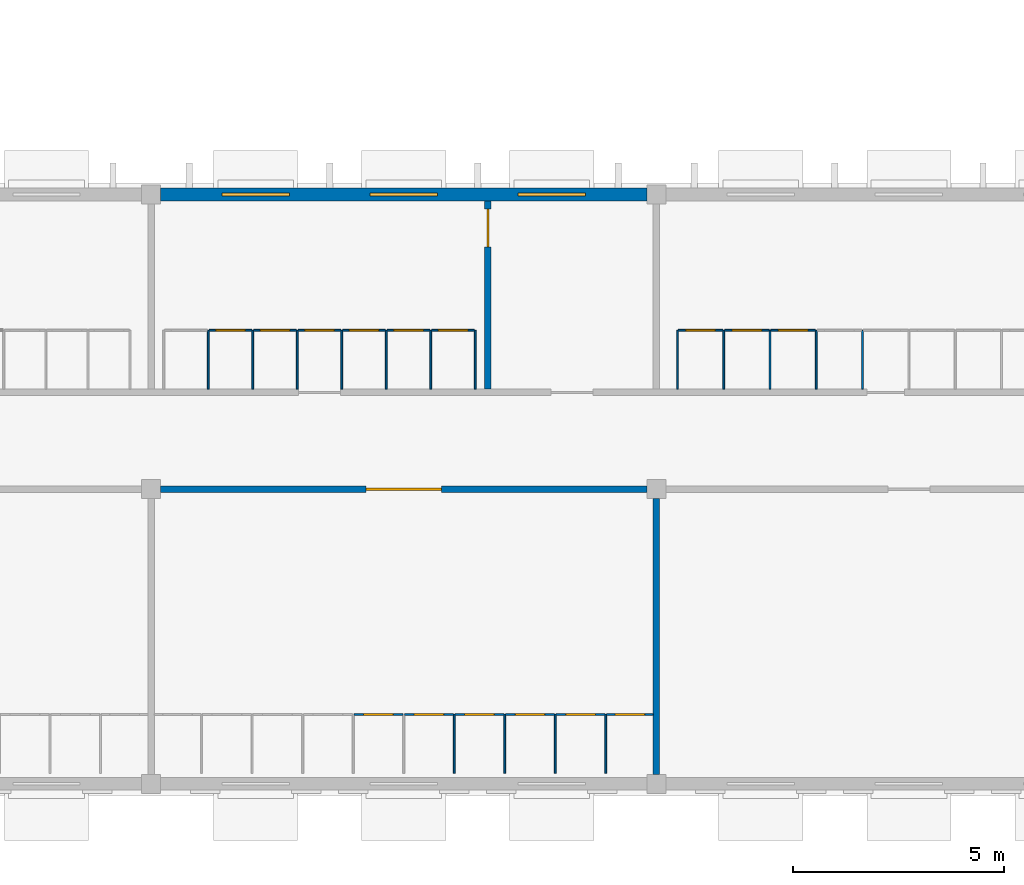
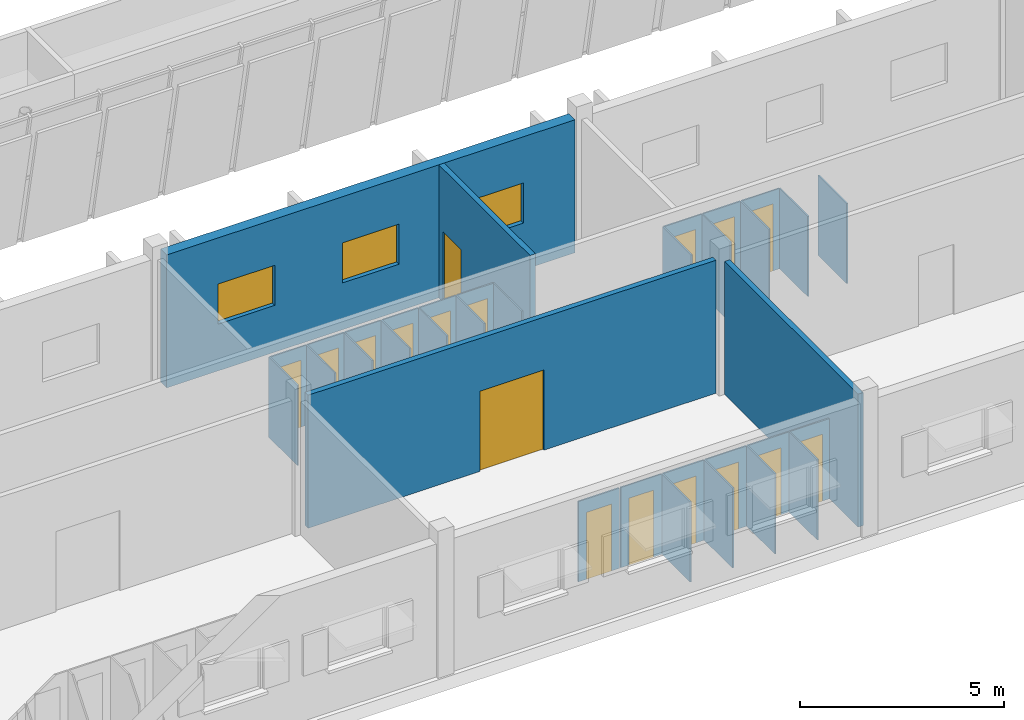
# One storey, part 65 of 115: 35 walls, 17 doors, 3 windows, 20 openings.
"""IFC4 building model written with IfcOpenShell, lengths in metres."""

from ifc_helpers import new_model, si_unit, direction, frame, frame_2d, origin, place, context, subcontext, project, spatial, rectangle, extrude, material, layer, layer_set, type_object, element, fill, save


model = new_model("IFC4")

# Units and contexts
model_context = context("Model", 3, precision=1e-05, world=origin(), true_north=direction((0.0, 1.0)))
body_context = subcontext(model_context, "Body", "Model", "MODEL_VIEW")
ifc_project = project(units=[si_unit("LENGTHUNIT", "METRE"), si_unit("AREAUNIT", "SQUARE_METRE"), si_unit("VOLUMEUNIT", "CUBIC_METRE"), si_unit("PLANEANGLEUNIT", "RADIAN"), si_unit("MASSUNIT", "GRAM", prefix="KILO")], contexts=[model_context])

# Site, building, storey
site_placement = place(None, origin())
site = spatial("IfcSite", under=ifc_project, at=site_placement, CompositionType="ELEMENT")
building_placement = place(site_placement, origin())
building = spatial("IfcBuilding", under=site, at=building_placement, Name="Windward Yard Aquatics Centre", CompositionType="ELEMENT")
storey_placement = place(building_placement, frame((0.0, 0.0, 5.0)))
storey = spatial("IfcBuildingStorey", under=building, at=storey_placement, Name="L01", CompositionType="ELEMENT", Elevation=5.0)

# Wall, opening, door
ifc_material_1 = material(Name="Concrete masonry unit plastered", Category="masonry")
ifc_layer_1 = layer(ifc_material_1, 0.14990234375)
ifc_layer_set_1 = layer_set([ifc_layer_1], Name="C block partition 150")
wall_type_1 = type_object("IfcWallType", Name="C block partition 150", PredefinedType="PARTITIONING", material=ifc_layer_set_1)
wall_1_placement = place(storey_placement, frame((84.22509765625, 12.0, 0.0), z_axis=(0.0, 0.0, 1.0), x_axis=(1.0, 0.0, 0.0)))
wall_1 = element("IfcWall", 1, at=wall_1_placement, inside=storey, type_object=wall_type_1, Name="C.W.L01.SP.S.4", PredefinedType="PARTITIONING", context=body_context, shape_type="SweptSolid", body=[
    extrude(rectangle(XDim=11.5498046875, YDim=0.14990234375, at=frame_2d((5.77490234375, 0.0))), origin(), (0.0, 0.0, 1.0), 3.97998046875),
])
opening_1_placement = place(wall_1_placement, frame((4.875, 0.0, 0.0)))
opening_1 = element("IfcOpeningElement", 2, at=opening_1_placement, cuts=wall_1, Name="Opening C1003", PredefinedType="OPENING", context=body_context, shape_type="SweptSolid", body=[
    extrude(rectangle(XDim=1.800048828125, YDim=2.39990234375, at=frame_2d((0.89990234375, 1.199951171875))), frame((0.0, 0.0849609375, 0.0), z_axis=(0.0, -1.0, 0.0), x_axis=(1.0, 0.0, 0.0)), (0.0, 0.0, 1.0), 0.169921875),
])
ifc_material_2 = material(Name="Timber door leaf in steel frame", Category="steel")
door_type_1 = type_object("IfcDoorType", Name="C double door 1800X2400 FD30S", OperationType="DOUBLE_DOOR_SINGLE_SWING", PredefinedType="DOOR", material=ifc_material_2)
door_1_placement = place(opening_1_placement, origin())
door_1 = element("IfcDoor", 3, at=door_1_placement, inside=storey, type_object=door_type_1, Name="Door C1003", OperationType="DOUBLE_DOOR_SINGLE_SWING", OverallHeight=2.39990234375, OverallWidth=1.800048828125, PredefinedType="DOOR", context=body_context, shape_type="SweptSolid", body=[
    extrude(rectangle(XDim=1.800048828125, YDim=2.39990234375, at=frame_2d((0.89990234375, 1.199951171875))), frame((0.0, 0.02490234375, 0.0), z_axis=(0.0, -1.0, 0.0), x_axis=(1.0, 0.0, 0.0)), (0.0, 0.0, 1.0), 0.050048828125),
])
fill(opening_1, door_1)

# Wall
wall_2_placement = place(storey_placement, frame((96.0, 5.22509765625, 0.0), z_axis=(0.0, 0.0, 1.0), x_axis=(0.0, 1.0, 0.0)))
element("IfcWall", 4, at=wall_2_placement, inside=storey, type_object=wall_type_1, Name="C.W.L01.SD.44.1", PredefinedType="PARTITIONING", context=body_context, shape_type="SweptSolid", body=[
    extrude(rectangle(XDim=6.5498046875, YDim=0.14990234375, at=frame_2d((3.27490234375, 0.0))), origin(), (0.0, 0.0, 1.0), 3.97998046875),
])

# Wall, opening, door
wall_3_placement = place(storey_placement, frame((92.0, 14.375, 0.0), z_axis=(0.0, 0.0, 1.0), x_axis=(0.0, 1.0, 0.0)))
wall_3 = element("IfcWall", 5, at=wall_3_placement, inside=storey, type_object=wall_type_1, Name="C.W.L01.ND.40.1", PredefinedType="PARTITIONING", context=body_context, shape_type="SweptSolid", body=[
    extrude(rectangle(XDim=4.47509765625, YDim=0.14990234375, at=frame_2d((2.237548828125, 0.0))), origin(), (0.0, 0.0, 1.0), 3.97998046875),
])
opening_2_placement = place(wall_3_placement, frame((3.375, 0.0, 0.0)))
opening_2 = element("IfcOpeningElement", 6, at=opening_2_placement, cuts=wall_3, Name="Opening C1016", PredefinedType="OPENING", context=body_context, shape_type="SweptSolid", body=[
    extrude(rectangle(XDim=0.89990234375, YDim=2.10009765625, at=frame_2d((0.449951171875, 1.050048828125))), frame((0.0, 0.0849609375, 0.0), z_axis=(0.0, -1.0, 0.0), x_axis=(1.0, 0.0, 0.0)), (0.0, 0.0, 1.0), 0.169921875),
])
door_type_2 = type_object("IfcDoorType", Name="C door 900X2100 FD30S", OperationType="SINGLE_SWING_LEFT", PredefinedType="DOOR", material=ifc_material_2)
door_2_placement = place(opening_2_placement, origin())
door_2 = element("IfcDoor", 7, at=door_2_placement, inside=storey, type_object=door_type_2, Name="Cleaner's store door", OperationType="SINGLE_SWING_LEFT", OverallHeight=2.10009765625, OverallWidth=0.89990234375, PredefinedType="DOOR", context=body_context, shape_type="SweptSolid", body=[
    extrude(rectangle(XDim=0.89990234375, YDim=2.10009765625, at=frame_2d((0.449951171875, 1.050048828125))), frame((0.0, 0.02490234375, 0.0), z_axis=(0.0, -1.0, 0.0), x_axis=(1.0, 0.0, 0.0)), (0.0, 0.0, 1.0), 0.050048828125),
])
fill(opening_2, door_2)

# Walls
ifc_material_3 = material(Name="High-pressure laminate panel on stainless frame")
ifc_layer_2 = layer(ifc_material_3, 0.0400390625)
ifc_layer_set_2 = layer_set([ifc_layer_2], Name="C cubicle panel 40")
wall_type_2 = type_object("IfcWallType", Name="C cubicle panel 40", PredefinedType="PARTITIONING", material=ifc_layer_set_2)
for number, where, z_axis, x_axis, name in (
    (8, (91.199951171875, 5.25, 0.0), (0.0, 0.0, 1.0), (0.0, 1.0, 0.0), "C.W.L01.A.P26"),
    (9, (92.39990234375, 5.25, 0.0), (0.0, 0.0, 1.0), (0.0, 1.0, 0.0), "C.W.L01.A.P27"),
    (10, (93.60009765625, 5.25, 0.0), (0.0, 0.0, 1.0), (0.0, 1.0, 0.0), "C.W.L01.A.P28"),
    (11, (94.800048828125, 5.25, 0.0), (0.0, 0.0, 1.0), (0.0, 1.0, 0.0), "C.W.L01.A.P29"),
):
    element("IfcWall", number, at=place(storey_placement, frame(where, z_axis=z_axis, x_axis=x_axis)), inside=storey, type_object=wall_type_2, Name=name, PredefinedType="PARTITIONING", context=body_context, shape_type="SweptSolid", body=[
        extrude(rectangle(XDim=1.39990234375, YDim=0.0400390625, at=frame_2d((0.699951171875, 0.0))), origin(), (0.0, 0.0, 1.0), 2.39990234375),
    ])

# Wall, opening, door
wall_4_placement = place(storey_placement, frame((88.820068359375, 6.64990234375, 0.0), z_axis=(0.0, 0.0, 1.0), x_axis=(1.0, 0.0, 0.0)))
wall_4 = element("IfcWall", 12, at=wall_4_placement, inside=storey, type_object=wall_type_2, Name="C.W.L01.A.F24", PredefinedType="PARTITIONING", context=body_context, shape_type="SweptSolid", body=[
    extrude(rectangle(XDim=1.159912109375, YDim=0.0400390625, at=frame_2d((0.580078125, 0.0))), origin(), (0.0, 0.0, 1.0), 2.39990234375),
])
opening_3_placement = place(wall_4_placement, frame((0.22998046875, 0.0, 0.0)))
opening_3 = element("IfcOpeningElement", 13, at=opening_3_placement, cuts=wall_4, Name="Opening C1045", PredefinedType="OPENING", context=body_context, shape_type="SweptSolid", body=[
    extrude(rectangle(XDim=0.699951171875, YDim=2.0, at=frame_2d((0.35009765625, 1.0))), frame((0.0, 0.030029296875, 0.0), z_axis=(0.0, -1.0, 0.0), x_axis=(1.0, 0.0, 0.0)), (0.0, 0.0, 1.0), 0.06005859375),
])
ifc_material_4 = material(Name="High-pressure laminate door leaf")
door_type_3 = type_object("IfcDoorType", Name="C door 700X2000 NOT RATED", OperationType="SINGLE_SWING_LEFT", PredefinedType="DOOR", material=ifc_material_4)
door_3_placement = place(opening_3_placement, origin())
door_3 = element("IfcDoor", 14, at=door_3_placement, inside=storey, type_object=door_type_3, Name="Cubicle door A25", OperationType="SINGLE_SWING_LEFT", OverallHeight=2.0, OverallWidth=0.699951171875, PredefinedType="DOOR", context=body_context, shape_type="SweptSolid", body=[
    extrude(rectangle(XDim=0.699951171875, YDim=2.0, at=frame_2d((0.35009765625, 1.0))), frame((0.0, 0.019775390625, 0.0), z_axis=(0.0, -1.0, 0.0), x_axis=(1.0, 0.0, 0.0)), (0.0, 0.0, 1.0), 0.03955078125),
])
fill(opening_3, door_3)

wall_5_placement = place(storey_placement, frame((90.02001953125, 6.64990234375, 0.0), z_axis=(0.0, 0.0, 1.0), x_axis=(1.0, 0.0, 0.0)))
wall_5 = element("IfcWall", 15, at=wall_5_placement, inside=storey, type_object=wall_type_2, Name="C.W.L01.A.F25", PredefinedType="PARTITIONING", context=body_context, shape_type="SweptSolid", body=[
    extrude(rectangle(XDim=1.159912109375, YDim=0.0400390625, at=frame_2d((0.580078125, 0.0))), origin(), (0.0, 0.0, 1.0), 2.39990234375),
])
opening_4_placement = place(wall_5_placement, frame((0.22998046875, 0.0, 0.0)))
opening_4 = element("IfcOpeningElement", 16, at=opening_4_placement, cuts=wall_5, Name="Opening C1046", PredefinedType="OPENING", context=body_context, shape_type="SweptSolid", body=[
    extrude(rectangle(XDim=0.699951171875, YDim=2.0, at=frame_2d((0.35009765625, 1.0))), frame((0.0, 0.030029296875, 0.0), z_axis=(0.0, -1.0, 0.0), x_axis=(1.0, 0.0, 0.0)), (0.0, 0.0, 1.0), 0.06005859375),
])
door_4_placement = place(opening_4_placement, origin())
door_4 = element("IfcDoor", 17, at=door_4_placement, inside=storey, type_object=door_type_3, Name="Cubicle door A26", OperationType="SINGLE_SWING_LEFT", OverallHeight=2.0, OverallWidth=0.699951171875, PredefinedType="DOOR", context=body_context, shape_type="SweptSolid", body=[
    extrude(rectangle(XDim=0.699951171875, YDim=2.0, at=frame_2d((0.35009765625, 1.0))), frame((0.0, 0.019775390625, 0.0), z_axis=(0.0, -1.0, 0.0), x_axis=(1.0, 0.0, 0.0)), (0.0, 0.0, 1.0), 0.03955078125),
])
fill(opening_4, door_4)

wall_6_placement = place(storey_placement, frame((91.219970703125, 6.64990234375, 0.0), z_axis=(0.0, 0.0, 1.0), x_axis=(1.0, 0.0, 0.0)))
wall_6 = element("IfcWall", 18, at=wall_6_placement, inside=storey, type_object=wall_type_2, Name="C.W.L01.A.F26", PredefinedType="PARTITIONING", context=body_context, shape_type="SweptSolid", body=[
    extrude(rectangle(XDim=1.159912109375, YDim=0.0400390625, at=frame_2d((0.580078125, 0.0))), origin(), (0.0, 0.0, 1.0), 2.39990234375),
])
opening_5_placement = place(wall_6_placement, frame((0.22998046875, 0.0, 0.0)))
opening_5 = element("IfcOpeningElement", 19, at=opening_5_placement, cuts=wall_6, Name="Opening C1047", PredefinedType="OPENING", context=body_context, shape_type="SweptSolid", body=[
    extrude(rectangle(XDim=0.699951171875, YDim=2.0, at=frame_2d((0.35009765625, 1.0))), frame((0.0, 0.030029296875, 0.0), z_axis=(0.0, -1.0, 0.0), x_axis=(1.0, 0.0, 0.0)), (0.0, 0.0, 1.0), 0.06005859375),
])
door_5_placement = place(opening_5_placement, origin())
door_5 = element("IfcDoor", 20, at=door_5_placement, inside=storey, type_object=door_type_3, Name="Cubicle door A27", OperationType="SINGLE_SWING_LEFT", OverallHeight=2.0, OverallWidth=0.699951171875, PredefinedType="DOOR", context=body_context, shape_type="SweptSolid", body=[
    extrude(rectangle(XDim=0.699951171875, YDim=2.0, at=frame_2d((0.35009765625, 1.0))), frame((0.0, 0.019775390625, 0.0), z_axis=(0.0, -1.0, 0.0), x_axis=(1.0, 0.0, 0.0)), (0.0, 0.0, 1.0), 0.03955078125),
])
fill(opening_5, door_5)

wall_7_placement = place(storey_placement, frame((92.419921875, 6.64990234375, 0.0), z_axis=(0.0, 0.0, 1.0), x_axis=(1.0, 0.0, 0.0)))
wall_7 = element("IfcWall", 21, at=wall_7_placement, inside=storey, type_object=wall_type_2, Name="C.W.L01.A.F27", PredefinedType="PARTITIONING", context=body_context, shape_type="SweptSolid", body=[
    extrude(rectangle(XDim=1.16015625, YDim=0.0400390625, at=frame_2d((0.580078125, 0.0))), origin(), (0.0, 0.0, 1.0), 2.39990234375),
])
opening_6_placement = place(wall_7_placement, frame((0.22998046875, 0.0, 0.0)))
opening_6 = element("IfcOpeningElement", 22, at=opening_6_placement, cuts=wall_7, Name="Opening C1048", PredefinedType="OPENING", context=body_context, shape_type="SweptSolid", body=[
    extrude(rectangle(XDim=0.699951171875, YDim=2.0, at=frame_2d((0.35009765625, 1.0))), frame((0.0, 0.030029296875, 0.0), z_axis=(0.0, -1.0, 0.0), x_axis=(1.0, 0.0, 0.0)), (0.0, 0.0, 1.0), 0.06005859375),
])
door_6_placement = place(opening_6_placement, origin())
door_6 = element("IfcDoor", 23, at=door_6_placement, inside=storey, type_object=door_type_3, Name="Cubicle door A28", OperationType="SINGLE_SWING_LEFT", OverallHeight=2.0, OverallWidth=0.699951171875, PredefinedType="DOOR", context=body_context, shape_type="SweptSolid", body=[
    extrude(rectangle(XDim=0.699951171875, YDim=2.0, at=frame_2d((0.35009765625, 1.0))), frame((0.0, 0.019775390625, 0.0), z_axis=(0.0, -1.0, 0.0), x_axis=(1.0, 0.0, 0.0)), (0.0, 0.0, 1.0), 0.03955078125),
])
fill(opening_6, door_6)

wall_8_placement = place(storey_placement, frame((93.6201171875, 6.64990234375, 0.0), z_axis=(0.0, 0.0, 1.0), x_axis=(1.0, 0.0, 0.0)))
wall_8 = element("IfcWall", 24, at=wall_8_placement, inside=storey, type_object=wall_type_2, Name="C.W.L01.A.F28", PredefinedType="PARTITIONING", context=body_context, shape_type="SweptSolid", body=[
    extrude(rectangle(XDim=1.159912109375, YDim=0.0400390625, at=frame_2d((0.580078125, 0.0))), origin(), (0.0, 0.0, 1.0), 2.39990234375),
])
opening_7_placement = place(wall_8_placement, frame((0.22998046875, 0.0, 0.0)))
opening_7 = element("IfcOpeningElement", 25, at=opening_7_placement, cuts=wall_8, Name="Opening C1049", PredefinedType="OPENING", context=body_context, shape_type="SweptSolid", body=[
    extrude(rectangle(XDim=0.699951171875, YDim=2.0, at=frame_2d((0.35009765625, 1.0))), frame((0.0, 0.030029296875, 0.0), z_axis=(0.0, -1.0, 0.0), x_axis=(1.0, 0.0, 0.0)), (0.0, 0.0, 1.0), 0.06005859375),
])
door_7_placement = place(opening_7_placement, origin())
door_7 = element("IfcDoor", 26, at=door_7_placement, inside=storey, type_object=door_type_3, Name="Cubicle door A29", OperationType="SINGLE_SWING_LEFT", OverallHeight=2.0, OverallWidth=0.699951171875, PredefinedType="DOOR", context=body_context, shape_type="SweptSolid", body=[
    extrude(rectangle(XDim=0.699951171875, YDim=2.0, at=frame_2d((0.35009765625, 1.0))), frame((0.0, 0.019775390625, 0.0), z_axis=(0.0, -1.0, 0.0), x_axis=(1.0, 0.0, 0.0)), (0.0, 0.0, 1.0), 0.03955078125),
])
fill(opening_7, door_7)

wall_9_placement = place(storey_placement, frame((94.820068359375, 6.64990234375, 0.0), z_axis=(0.0, 0.0, 1.0), x_axis=(1.0, 0.0, 0.0)))
wall_9 = element("IfcWall", 27, at=wall_9_placement, inside=storey, type_object=wall_type_2, Name="C.W.L01.A.F29", PredefinedType="PARTITIONING", context=body_context, shape_type="SweptSolid", body=[
    extrude(rectangle(XDim=1.10498046875, YDim=0.0400390625, at=frame_2d((0.552490234375, 0.0))), origin(), (0.0, 0.0, 1.0), 2.39990234375),
])
opening_8_placement = place(wall_9_placement, frame((0.202392578125, 0.0, 0.0)))
opening_8 = element("IfcOpeningElement", 28, at=opening_8_placement, cuts=wall_9, Name="Opening C1050", PredefinedType="OPENING", context=body_context, shape_type="SweptSolid", body=[
    extrude(rectangle(XDim=0.699951171875, YDim=2.0, at=frame_2d((0.35009765625, 1.0))), frame((0.0, 0.030029296875, 0.0), z_axis=(0.0, -1.0, 0.0), x_axis=(1.0, 0.0, 0.0)), (0.0, 0.0, 1.0), 0.06005859375),
])
door_8_placement = place(opening_8_placement, origin())
door_8 = element("IfcDoor", 29, at=door_8_placement, inside=storey, type_object=door_type_3, Name="Cubicle door A30", OperationType="SINGLE_SWING_LEFT", OverallHeight=2.0, OverallWidth=0.699951171875, PredefinedType="DOOR", context=body_context, shape_type="SweptSolid", body=[
    extrude(rectangle(XDim=0.699951171875, YDim=2.0, at=frame_2d((0.35009765625, 1.0))), frame((0.0, 0.019775390625, 0.0), z_axis=(0.0, -1.0, 0.0), x_axis=(1.0, 0.0, 0.0)), (0.0, 0.0, 1.0), 0.03955078125),
])
fill(opening_8, door_8)

# Walls
for number, where, z_axis, x_axis, name in (
    (30, (85.357177734375, 14.375, 0.0), (0.0, 0.0, 1.0), (0.0, 1.0, 0.0), "C.W.L01.F.P1"),
    (31, (86.414306640625, 14.375, 0.0), (0.0, 0.0, 1.0), (0.0, 1.0, 0.0), "C.W.L01.F.P2"),
    (32, (87.471435546875, 14.375, 0.0), (0.0, 0.0, 1.0), (0.0, 1.0, 0.0), "C.W.L01.F.P3"),
    (33, (88.528564453125, 14.375, 0.0), (0.0, 0.0, 1.0), (0.0, 1.0, 0.0), "C.W.L01.F.P4"),
    (34, (89.585693359375, 14.375, 0.0), (0.0, 0.0, 1.0), (0.0, 1.0, 0.0), "C.W.L01.F.P5"),
    (35, (90.642822265625, 14.375, 0.0), (0.0, 0.0, 1.0), (0.0, 1.0, 0.0), "C.W.L01.F.P6"),
    (36, (91.699951171875, 14.375, 0.0), (0.0, 0.0, 1.0), (0.0, 1.0, 0.0), "C.W.L01.F.P7"),
):
    element("IfcWall", number, at=place(storey_placement, frame(where, z_axis=z_axis, x_axis=x_axis)), inside=storey, type_object=wall_type_2, Name=name, PredefinedType="PARTITIONING", context=body_context, shape_type="SweptSolid", body=[
        extrude(rectangle(XDim=1.39990234375, YDim=0.0400390625, at=frame_2d((0.699951171875, 0.0))), origin(), (0.0, 0.0, 1.0), 2.39990234375),
    ])

# Wall, opening, door
wall_10_placement = place(storey_placement, frame((85.377197265625, 15.77490234375, 0.0), z_axis=(0.0, 0.0, 1.0), x_axis=(1.0, 0.0, 0.0)))
wall_10 = element("IfcWall", 37, at=wall_10_placement, inside=storey, type_object=wall_type_2, Name="C.W.L01.F.F1", PredefinedType="PARTITIONING", context=body_context, shape_type="SweptSolid", body=[
    extrude(rectangle(XDim=1.01708984375, YDim=0.0400390625, at=frame_2d((0.508544921875, 0.0))), origin(), (0.0, 0.0, 1.0), 2.39990234375),
])
opening_9_placement = place(wall_10_placement, frame((0.15869140625, 0.0, 0.0)))
opening_9 = element("IfcOpeningElement", 38, at=opening_9_placement, cuts=wall_10, Name="Opening C1075", PredefinedType="OPENING", context=body_context, shape_type="SweptSolid", body=[
    extrude(rectangle(XDim=0.699951171875, YDim=2.0, at=frame_2d((0.35009765625, 1.0))), frame((0.0, 0.030029296875, 0.0), z_axis=(0.0, -1.0, 0.0), x_axis=(1.0, 0.0, 0.0)), (0.0, 0.0, 1.0), 0.06005859375),
])
door_9_placement = place(opening_9_placement, origin())
door_9 = element("IfcDoor", 39, at=door_9_placement, inside=storey, type_object=door_type_3, Name="Cubicle door F2", OperationType="SINGLE_SWING_LEFT", OverallHeight=2.0, OverallWidth=0.699951171875, PredefinedType="DOOR", context=body_context, shape_type="SweptSolid", body=[
    extrude(rectangle(XDim=0.699951171875, YDim=2.0, at=frame_2d((0.35009765625, 1.0))), frame((0.0, 0.019775390625, 0.0), z_axis=(0.0, -1.0, 0.0), x_axis=(1.0, 0.0, 0.0)), (0.0, 0.0, 1.0), 0.03955078125),
])
fill(opening_9, door_9)

wall_11_placement = place(storey_placement, frame((86.434326171875, 15.77490234375, 0.0), z_axis=(0.0, 0.0, 1.0), x_axis=(1.0, 0.0, 0.0)))
wall_11 = element("IfcWall", 40, at=wall_11_placement, inside=storey, type_object=wall_type_2, Name="C.W.L01.F.F2", PredefinedType="PARTITIONING", context=body_context, shape_type="SweptSolid", body=[
    extrude(rectangle(XDim=1.01708984375, YDim=0.0400390625, at=frame_2d((0.508544921875, 0.0))), origin(), (0.0, 0.0, 1.0), 2.39990234375),
])
opening_10_placement = place(wall_11_placement, frame((0.15869140625, 0.0, 0.0)))
opening_10 = element("IfcOpeningElement", 41, at=opening_10_placement, cuts=wall_11, Name="Opening C1076", PredefinedType="OPENING", context=body_context, shape_type="SweptSolid", body=[
    extrude(rectangle(XDim=0.699951171875, YDim=2.0, at=frame_2d((0.35009765625, 1.0))), frame((0.0, 0.030029296875, 0.0), z_axis=(0.0, -1.0, 0.0), x_axis=(1.0, 0.0, 0.0)), (0.0, 0.0, 1.0), 0.06005859375),
])
door_10_placement = place(opening_10_placement, origin())
door_10 = element("IfcDoor", 42, at=door_10_placement, inside=storey, type_object=door_type_3, Name="Cubicle door F3", OperationType="SINGLE_SWING_LEFT", OverallHeight=2.0, OverallWidth=0.699951171875, PredefinedType="DOOR", context=body_context, shape_type="SweptSolid", body=[
    extrude(rectangle(XDim=0.699951171875, YDim=2.0, at=frame_2d((0.35009765625, 1.0))), frame((0.0, 0.019775390625, 0.0), z_axis=(0.0, -1.0, 0.0), x_axis=(1.0, 0.0, 0.0)), (0.0, 0.0, 1.0), 0.03955078125),
])
fill(opening_10, door_10)

wall_12_placement = place(storey_placement, frame((87.491455078125, 15.77490234375, 0.0), z_axis=(0.0, 0.0, 1.0), x_axis=(1.0, 0.0, 0.0)))
wall_12 = element("IfcWall", 43, at=wall_12_placement, inside=storey, type_object=wall_type_2, Name="C.W.L01.F.F3", PredefinedType="PARTITIONING", context=body_context, shape_type="SweptSolid", body=[
    extrude(rectangle(XDim=1.01708984375, YDim=0.0400390625, at=frame_2d((0.508544921875, 0.0))), origin(), (0.0, 0.0, 1.0), 2.39990234375),
])
opening_11_placement = place(wall_12_placement, frame((0.15869140625, 0.0, 0.0)))
opening_11 = element("IfcOpeningElement", 44, at=opening_11_placement, cuts=wall_12, Name="Opening C1077", PredefinedType="OPENING", context=body_context, shape_type="SweptSolid", body=[
    extrude(rectangle(XDim=0.699951171875, YDim=2.0, at=frame_2d((0.35009765625, 1.0))), frame((0.0, 0.030029296875, 0.0), z_axis=(0.0, -1.0, 0.0), x_axis=(1.0, 0.0, 0.0)), (0.0, 0.0, 1.0), 0.06005859375),
])
door_11_placement = place(opening_11_placement, origin())
door_11 = element("IfcDoor", 45, at=door_11_placement, inside=storey, type_object=door_type_3, Name="Cubicle door F4", OperationType="SINGLE_SWING_LEFT", OverallHeight=2.0, OverallWidth=0.699951171875, PredefinedType="DOOR", context=body_context, shape_type="SweptSolid", body=[
    extrude(rectangle(XDim=0.699951171875, YDim=2.0, at=frame_2d((0.35009765625, 1.0))), frame((0.0, 0.019775390625, 0.0), z_axis=(0.0, -1.0, 0.0), x_axis=(1.0, 0.0, 0.0)), (0.0, 0.0, 1.0), 0.03955078125),
])
fill(opening_11, door_11)

wall_13_placement = place(storey_placement, frame((88.548583984375, 15.77490234375, 0.0), z_axis=(0.0, 0.0, 1.0), x_axis=(1.0, 0.0, 0.0)))
wall_13 = element("IfcWall", 46, at=wall_13_placement, inside=storey, type_object=wall_type_2, Name="C.W.L01.F.F4", PredefinedType="PARTITIONING", context=body_context, shape_type="SweptSolid", body=[
    extrude(rectangle(XDim=1.01708984375, YDim=0.0400390625, at=frame_2d((0.508544921875, 0.0))), origin(), (0.0, 0.0, 1.0), 2.39990234375),
])
opening_12_placement = place(wall_13_placement, frame((0.15869140625, 0.0, 0.0)))
opening_12 = element("IfcOpeningElement", 47, at=opening_12_placement, cuts=wall_13, Name="Opening C1078", PredefinedType="OPENING", context=body_context, shape_type="SweptSolid", body=[
    extrude(rectangle(XDim=0.699951171875, YDim=2.0, at=frame_2d((0.35009765625, 1.0))), frame((0.0, 0.030029296875, 0.0), z_axis=(0.0, -1.0, 0.0), x_axis=(1.0, 0.0, 0.0)), (0.0, 0.0, 1.0), 0.06005859375),
])
door_12_placement = place(opening_12_placement, origin())
door_12 = element("IfcDoor", 48, at=door_12_placement, inside=storey, type_object=door_type_3, Name="Cubicle door F5", OperationType="SINGLE_SWING_LEFT", OverallHeight=2.0, OverallWidth=0.699951171875, PredefinedType="DOOR", context=body_context, shape_type="SweptSolid", body=[
    extrude(rectangle(XDim=0.699951171875, YDim=2.0, at=frame_2d((0.35009765625, 1.0))), frame((0.0, 0.019775390625, 0.0), z_axis=(0.0, -1.0, 0.0), x_axis=(1.0, 0.0, 0.0)), (0.0, 0.0, 1.0), 0.03955078125),
])
fill(opening_12, door_12)

wall_14_placement = place(storey_placement, frame((89.605712890625, 15.77490234375, 0.0), z_axis=(0.0, 0.0, 1.0), x_axis=(1.0, 0.0, 0.0)))
wall_14 = element("IfcWall", 49, at=wall_14_placement, inside=storey, type_object=wall_type_2, Name="C.W.L01.F.F5", PredefinedType="PARTITIONING", context=body_context, shape_type="SweptSolid", body=[
    extrude(rectangle(XDim=1.01708984375, YDim=0.0400390625, at=frame_2d((0.508544921875, 0.0))), origin(), (0.0, 0.0, 1.0), 2.39990234375),
])
opening_13_placement = place(wall_14_placement, frame((0.15869140625, 0.0, 0.0)))
opening_13 = element("IfcOpeningElement", 50, at=opening_13_placement, cuts=wall_14, Name="Opening C1079", PredefinedType="OPENING", context=body_context, shape_type="SweptSolid", body=[
    extrude(rectangle(XDim=0.699951171875, YDim=2.0, at=frame_2d((0.35009765625, 1.0))), frame((0.0, 0.030029296875, 0.0), z_axis=(0.0, -1.0, 0.0), x_axis=(1.0, 0.0, 0.0)), (0.0, 0.0, 1.0), 0.06005859375),
])
door_13_placement = place(opening_13_placement, origin())
door_13 = element("IfcDoor", 51, at=door_13_placement, inside=storey, type_object=door_type_3, Name="Cubicle door F6", OperationType="SINGLE_SWING_LEFT", OverallHeight=2.0, OverallWidth=0.699951171875, PredefinedType="DOOR", context=body_context, shape_type="SweptSolid", body=[
    extrude(rectangle(XDim=0.699951171875, YDim=2.0, at=frame_2d((0.35009765625, 1.0))), frame((0.0, 0.019775390625, 0.0), z_axis=(0.0, -1.0, 0.0), x_axis=(1.0, 0.0, 0.0)), (0.0, 0.0, 1.0), 0.03955078125),
])
fill(opening_13, door_13)

wall_15_placement = place(storey_placement, frame((90.662841796875, 15.77490234375, 0.0), z_axis=(0.0, 0.0, 1.0), x_axis=(1.0, 0.0, 0.0)))
wall_15 = element("IfcWall", 52, at=wall_15_placement, inside=storey, type_object=wall_type_2, Name="C.W.L01.F.F6", PredefinedType="PARTITIONING", context=body_context, shape_type="SweptSolid", body=[
    extrude(rectangle(XDim=1.01708984375, YDim=0.0400390625, at=frame_2d((0.508544921875, 0.0))), origin(), (0.0, 0.0, 1.0), 2.39990234375),
])
opening_14_placement = place(wall_15_placement, frame((0.15869140625, 0.0, 0.0)))
opening_14 = element("IfcOpeningElement", 53, at=opening_14_placement, cuts=wall_15, Name="Opening C1080", PredefinedType="OPENING", context=body_context, shape_type="SweptSolid", body=[
    extrude(rectangle(XDim=0.699951171875, YDim=2.0, at=frame_2d((0.35009765625, 1.0))), frame((0.0, 0.030029296875, 0.0), z_axis=(0.0, -1.0, 0.0), x_axis=(1.0, 0.0, 0.0)), (0.0, 0.0, 1.0), 0.06005859375),
])
door_14_placement = place(opening_14_placement, origin())
door_14 = element("IfcDoor", 54, at=door_14_placement, inside=storey, type_object=door_type_3, Name="Cubicle door F7", OperationType="SINGLE_SWING_LEFT", OverallHeight=2.0, OverallWidth=0.699951171875, PredefinedType="DOOR", context=body_context, shape_type="SweptSolid", body=[
    extrude(rectangle(XDim=0.699951171875, YDim=2.0, at=frame_2d((0.35009765625, 1.0))), frame((0.0, 0.019775390625, 0.0), z_axis=(0.0, -1.0, 0.0), x_axis=(1.0, 0.0, 0.0)), (0.0, 0.0, 1.0), 0.03955078125),
])
fill(opening_14, door_14)

# Walls
for number, where, z_axis, x_axis, name in (
    (55, (96.5, 14.375, 0.0), (0.0, 0.0, 1.0), (0.0, 1.0, 0.0), "C.W.L01.G.P0"),
    (56, (97.60009765625, 14.375, 0.0), (0.0, 0.0, 1.0), (0.0, 1.0, 0.0), "C.W.L01.G.P1"),
    (57, (98.699951171875, 14.375, 0.0), (0.0, 0.0, 1.0), (0.0, 1.0, 0.0), "C.W.L01.G.P2"),
    (58, (99.800048828125, 14.375, 0.0), (0.0, 0.0, 1.0), (0.0, 1.0, 0.0), "C.W.L01.G.P3"),
    (59, (100.89990234375, 14.375, 0.0), (0.0, 0.0, 1.0), (0.0, 1.0, 0.0), "C.W.L01.G.P4"),
):
    element("IfcWall", number, at=place(storey_placement, frame(where, z_axis=z_axis, x_axis=x_axis)), inside=storey, type_object=wall_type_2, Name=name, PredefinedType="PARTITIONING", context=body_context, shape_type="SweptSolid", body=[
        extrude(rectangle(XDim=1.39990234375, YDim=0.0400390625, at=frame_2d((0.699951171875, 0.0))), origin(), (0.0, 0.0, 1.0), 2.39990234375),
    ])

# Wall, opening, door
wall_16_placement = place(storey_placement, frame((96.52001953125, 15.77490234375, 0.0), z_axis=(0.0, 0.0, 1.0), x_axis=(1.0, 0.0, 0.0)))
wall_16 = element("IfcWall", 60, at=wall_16_placement, inside=storey, type_object=wall_type_2, Name="C.W.L01.G.F0", PredefinedType="PARTITIONING", context=body_context, shape_type="SweptSolid", body=[
    extrude(rectangle(XDim=1.06005859375, YDim=0.0400390625, at=frame_2d((0.530029296875, 0.0))), origin(), (0.0, 0.0, 1.0), 2.39990234375),
])
opening_15_placement = place(wall_16_placement, frame((0.179931640625, 0.0, 0.0)))
opening_15 = element("IfcOpeningElement", 61, at=opening_15_placement, cuts=wall_16, Name="Opening C1081", PredefinedType="OPENING", context=body_context, shape_type="SweptSolid", body=[
    extrude(rectangle(XDim=0.699951171875, YDim=2.0, at=frame_2d((0.35009765625, 1.0))), frame((0.0, 0.030029296875, 0.0), z_axis=(0.0, -1.0, 0.0), x_axis=(1.0, 0.0, 0.0)), (0.0, 0.0, 1.0), 0.06005859375),
])
door_15_placement = place(opening_15_placement, origin())
door_15 = element("IfcDoor", 62, at=door_15_placement, inside=storey, type_object=door_type_3, Name="Cubicle door G1", OperationType="SINGLE_SWING_LEFT", OverallHeight=2.0, OverallWidth=0.699951171875, PredefinedType="DOOR", context=body_context, shape_type="SweptSolid", body=[
    extrude(rectangle(XDim=0.699951171875, YDim=2.0, at=frame_2d((0.35009765625, 1.0))), frame((0.0, 0.019775390625, 0.0), z_axis=(0.0, -1.0, 0.0), x_axis=(1.0, 0.0, 0.0)), (0.0, 0.0, 1.0), 0.03955078125),
])
fill(opening_15, door_15)

wall_17_placement = place(storey_placement, frame((97.6201171875, 15.77490234375, 0.0), z_axis=(0.0, 0.0, 1.0), x_axis=(1.0, 0.0, 0.0)))
wall_17 = element("IfcWall", 63, at=wall_17_placement, inside=storey, type_object=wall_type_2, Name="C.W.L01.G.F1", PredefinedType="PARTITIONING", context=body_context, shape_type="SweptSolid", body=[
    extrude(rectangle(XDim=1.059814453125, YDim=0.0400390625, at=frame_2d((0.52978515625, 0.0))), origin(), (0.0, 0.0, 1.0), 2.39990234375),
])
opening_16_placement = place(wall_17_placement, frame((0.179931640625, 0.0, 0.0)))
opening_16 = element("IfcOpeningElement", 64, at=opening_16_placement, cuts=wall_17, Name="Opening C1082", PredefinedType="OPENING", context=body_context, shape_type="SweptSolid", body=[
    extrude(rectangle(XDim=0.699951171875, YDim=2.0, at=frame_2d((0.35009765625, 1.0))), frame((0.0, 0.030029296875, 0.0), z_axis=(0.0, -1.0, 0.0), x_axis=(1.0, 0.0, 0.0)), (0.0, 0.0, 1.0), 0.06005859375),
])
door_16_placement = place(opening_16_placement, origin())
door_16 = element("IfcDoor", 65, at=door_16_placement, inside=storey, type_object=door_type_3, Name="Cubicle door G2", OperationType="SINGLE_SWING_LEFT", OverallHeight=2.0, OverallWidth=0.699951171875, PredefinedType="DOOR", context=body_context, shape_type="SweptSolid", body=[
    extrude(rectangle(XDim=0.699951171875, YDim=2.0, at=frame_2d((0.35009765625, 1.0))), frame((0.0, 0.019775390625, 0.0), z_axis=(0.0, -1.0, 0.0), x_axis=(1.0, 0.0, 0.0)), (0.0, 0.0, 1.0), 0.03955078125),
])
fill(opening_16, door_16)

wall_18_placement = place(storey_placement, frame((98.719970703125, 15.77490234375, 0.0), z_axis=(0.0, 0.0, 1.0), x_axis=(1.0, 0.0, 0.0)))
wall_18 = element("IfcWall", 66, at=wall_18_placement, inside=storey, type_object=wall_type_2, Name="C.W.L01.G.F2", PredefinedType="PARTITIONING", context=body_context, shape_type="SweptSolid", body=[
    extrude(rectangle(XDim=1.06005859375, YDim=0.0400390625, at=frame_2d((0.530029296875, 0.0))), origin(), (0.0, 0.0, 1.0), 2.39990234375),
])
opening_17_placement = place(wall_18_placement, frame((0.179931640625, 0.0, 0.0)))
opening_17 = element("IfcOpeningElement", 67, at=opening_17_placement, cuts=wall_18, Name="Opening C1083", PredefinedType="OPENING", context=body_context, shape_type="SweptSolid", body=[
    extrude(rectangle(XDim=0.699951171875, YDim=2.0, at=frame_2d((0.35009765625, 1.0))), frame((0.0, 0.030029296875, 0.0), z_axis=(0.0, -1.0, 0.0), x_axis=(1.0, 0.0, 0.0)), (0.0, 0.0, 1.0), 0.06005859375),
])
door_17_placement = place(opening_17_placement, origin())
door_17 = element("IfcDoor", 68, at=door_17_placement, inside=storey, type_object=door_type_3, Name="Cubicle door G3", OperationType="SINGLE_SWING_LEFT", OverallHeight=2.0, OverallWidth=0.699951171875, PredefinedType="DOOR", context=body_context, shape_type="SweptSolid", body=[
    extrude(rectangle(XDim=0.699951171875, YDim=2.0, at=frame_2d((0.35009765625, 1.0))), frame((0.0, 0.019775390625, 0.0), z_axis=(0.0, -1.0, 0.0), x_axis=(1.0, 0.0, 0.0)), (0.0, 0.0, 1.0), 0.03955078125),
])
fill(opening_17, door_17)

# Wall, openings, windows
ifc_material_5 = material(Name="Natural stone cladding", Category="masonry")
ifc_layer_3 = layer(ifc_material_5, 0.04, Name="Cladding")
ifc_material_6 = material(Name="Ventilated air cavity")
ifc_layer_4 = layer(ifc_material_6, 0.04, ventilated=True, Name="Ventilated cavity")
ifc_material_7 = material(Name="Mineral wool insulation")
ifc_layer_5 = layer(ifc_material_7, 0.06, Name="Insulation")
ifc_material_8 = material(Name="Concrete C35/45", Category="concrete")
ifc_layer_6 = layer(ifc_material_8, 0.16, Name="Structure")
ifc_layer_set_3 = layer_set([ifc_layer_3, ifc_layer_4, ifc_layer_5, ifc_layer_6], Name="C stone-faced external wall 300")
wall_type_3 = type_object("IfcWallType", Name="C stone-faced external wall 300", PredefinedType="ELEMENTEDWALL", material=ifc_layer_set_3)
wall_19_placement = place(storey_placement, frame((84.22509765625, 19.0, 0.0), z_axis=(0.0, 0.0, 1.0), x_axis=(1.0, 0.0, 0.0)))
wall_19 = element("IfcWall", 69, at=wall_19_placement, inside=storey, type_object=wall_type_3, Name="C.W.L01.N4", PredefinedType="ELEMENTEDWALL", context=body_context, shape_type="SweptSolid", body=[
    extrude(rectangle(XDim=11.5498046875, YDim=0.300048828125, at=frame_2d((5.77490234375, 0.0))), origin(), (0.0, 0.0, 1.0), 3.97998046875),
])
opening_18_placement = place(wall_19_placement, frame((1.458251953125, 0.0, 1.39990234375)))
opening_18 = element("IfcOpeningElement", 70, at=opening_18_placement, cuts=wall_19, Name="Opening CW1028", PredefinedType="OPENING", context=body_context, shape_type="SweptSolid", body=[
    extrude(rectangle(XDim=1.60009765625, YDim=1.199951171875, at=frame_2d((0.800048828125, 0.60009765625))), frame((0.0, 0.16015625, 0.0), z_axis=(0.0, -1.0, 0.0), x_axis=(1.0, 0.0, 0.0)), (0.0, 0.0, 1.0), 0.320068359375),
])
opening_19_placement = place(wall_19_placement, frame((4.97509765625, 0.0, 1.39990234375)))
opening_19 = element("IfcOpeningElement", 71, at=opening_19_placement, cuts=wall_19, Name="Opening CW1029", PredefinedType="OPENING", context=body_context, shape_type="SweptSolid", body=[
    extrude(rectangle(XDim=1.60009765625, YDim=1.199951171875, at=frame_2d((0.800048828125, 0.60009765625))), frame((0.0, 0.16015625, 0.0), z_axis=(0.0, -1.0, 0.0), x_axis=(1.0, 0.0, 0.0)), (0.0, 0.0, 1.0), 0.320068359375),
])
opening_20_placement = place(wall_19_placement, frame((8.49169921875, 0.0, 1.39990234375)))
opening_20 = element("IfcOpeningElement", 72, at=opening_20_placement, cuts=wall_19, Name="Opening CW1030", PredefinedType="OPENING", context=body_context, shape_type="SweptSolid", body=[
    extrude(rectangle(XDim=1.60009765625, YDim=1.199951171875, at=frame_2d((0.800048828125, 0.60009765625))), frame((0.0, 0.16015625, 0.0), z_axis=(0.0, -1.0, 0.0), x_axis=(1.0, 0.0, 0.0)), (0.0, 0.0, 1.0), 0.320068359375),
])
ifc_material_9 = material(Name="Aluminium framed double glazing", Category="aluminium")
window_type = type_object("IfcWindowType", Name="C window 1600X1200", PartitioningType="SINGLE_PANEL", PredefinedType="WINDOW", material=ifc_material_9)
window_1_placement = place(opening_18_placement, origin())
window_1 = element("IfcWindow", 73, at=window_1_placement, inside=storey, type_object=window_type, Name="Window CW1028", OverallHeight=1.199951171875, OverallWidth=1.60009765625, PartitioningType="SINGLE_PANEL", PredefinedType="WINDOW", context=body_context, shape_type="SweptSolid", body=[
    extrude(rectangle(XDim=1.60009765625, YDim=1.199951171875, at=frame_2d((0.800048828125, 0.60009765625))), frame((0.0, 0.030029296875, 0.0), z_axis=(0.0, -1.0, 0.0), x_axis=(1.0, 0.0, 0.0)), (0.0, 0.0, 1.0), 0.06005859375),
])
fill(opening_18, window_1)
window_2_placement = place(opening_19_placement, origin())
window_2 = element("IfcWindow", 74, at=window_2_placement, inside=storey, type_object=window_type, Name="Window CW1029", OverallHeight=1.199951171875, OverallWidth=1.60009765625, PartitioningType="SINGLE_PANEL", PredefinedType="WINDOW", context=body_context, shape_type="SweptSolid", body=[
    extrude(rectangle(XDim=1.60009765625, YDim=1.199951171875, at=frame_2d((0.800048828125, 0.60009765625))), frame((0.0, 0.030029296875, 0.0), z_axis=(0.0, -1.0, 0.0), x_axis=(1.0, 0.0, 0.0)), (0.0, 0.0, 1.0), 0.06005859375),
])
fill(opening_19, window_2)
window_3_placement = place(opening_20_placement, origin())
window_3 = element("IfcWindow", 75, at=window_3_placement, inside=storey, type_object=window_type, Name="Window CW1030", OverallHeight=1.199951171875, OverallWidth=1.60009765625, PartitioningType="SINGLE_PANEL", PredefinedType="WINDOW", context=body_context, shape_type="SweptSolid", body=[
    extrude(rectangle(XDim=1.60009765625, YDim=1.199951171875, at=frame_2d((0.800048828125, 0.60009765625))), frame((0.0, 0.030029296875, 0.0), z_axis=(0.0, -1.0, 0.0), x_axis=(1.0, 0.0, 0.0)), (0.0, 0.0, 1.0), 0.06005859375),
])
fill(opening_20, window_3)

save(model, "model.ifc")
